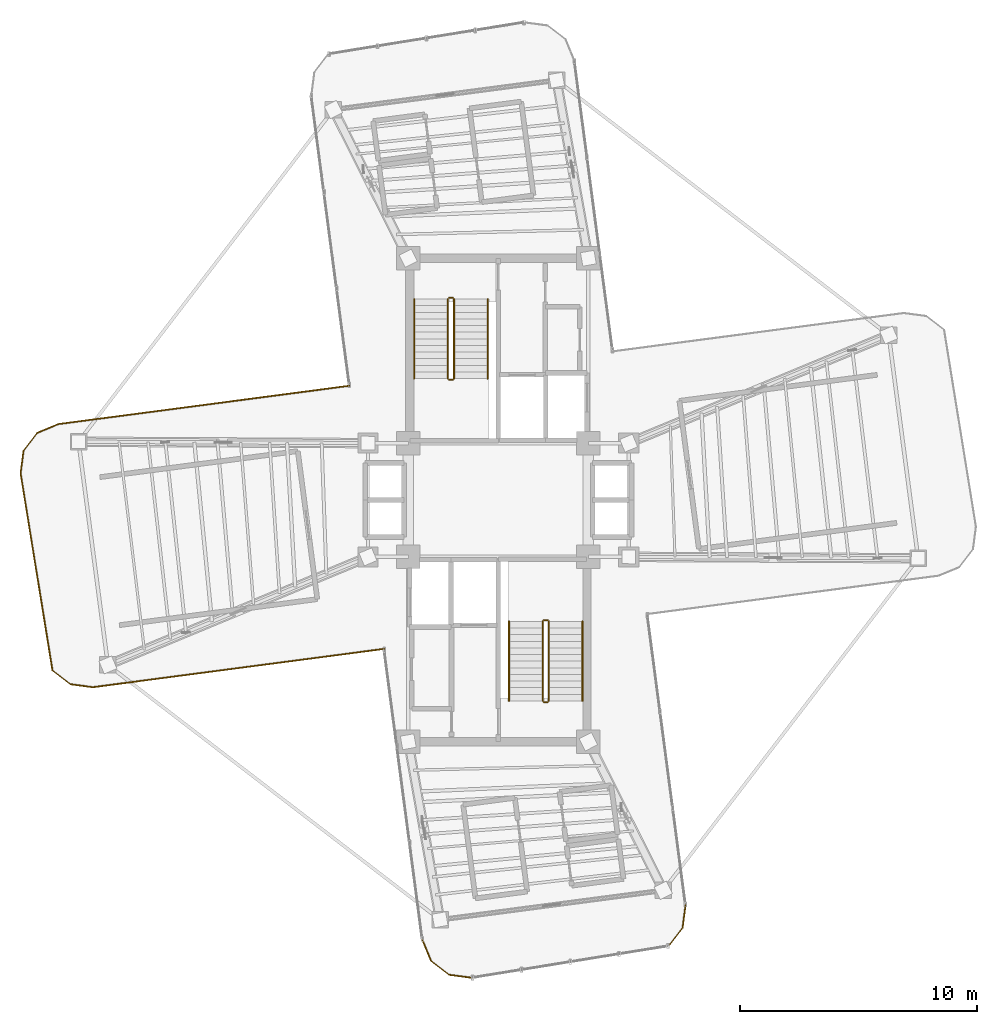
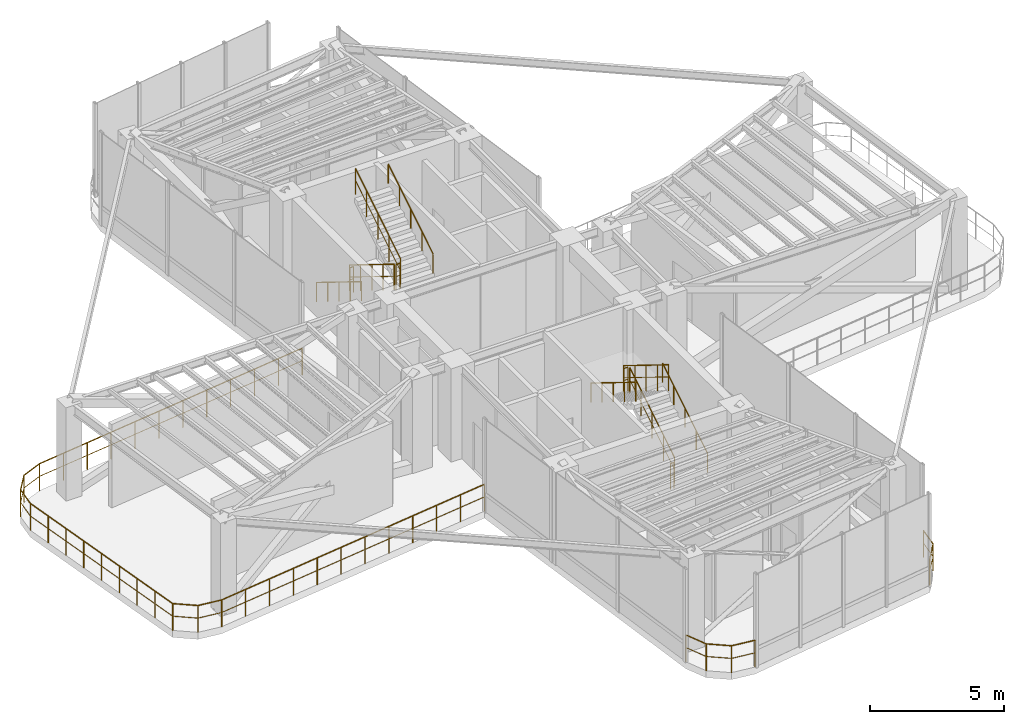
# One storey, part 16 of 17: 25 railings.
"""IFC4 building model written with IfcOpenShell, lengths in metres."""

import ifcopenshell
import ifcopenshell.guid

model = None  # the IFC model being written
_history = None  # IfcOwnerHistory: only IFC2X3 demands one
_inside = {}  # id of a spatial element -> (the spatial element, [elements in it])
_under = {}  # id of a project, library or spatial element -> (it, [spatial elements below it])
_declared = {}  # id of a project -> (the project, [libraries it declares])
_typed = {}  # id of a type object -> (the type object, [elements of that type])
_made_of = {}  # id of a material, layer set ... -> (it, [elements and type objects made of it])


def new_model(schema):
    """Start an empty IFC model of exactly this schema.

    Asked for "IFC4X3", IfcOpenShell would pick the latest addendum, in which some entities
    have other attributes; the version numbers below select the first issue.
    IFC2X3 requires an IfcOwnerHistory on every rooted entity: one is made here for all.
    """
    global model, _history
    if schema == "IFC4X3":
        model = ifcopenshell.file(schema_version=(4, 3, 0, 0))
    else:
        model = ifcopenshell.file(schema=schema)
    _inside.clear()
    _under.clear()
    _declared.clear()
    _typed.clear()
    _made_of.clear()
    _history = None
    if model.schema == "IFC2X3":
        org = make("IfcOrganization", Name="unknown")
        user = make(
            "IfcPersonAndOrganization",
            ThePerson=make("IfcPerson", FamilyName="unknown"),
            TheOrganization=org,
        )
        app = make(
            "IfcApplication",
            ApplicationDeveloper=org,
            Version="unknown",
            ApplicationFullName="unknown",
            ApplicationIdentifier="unknown",
        )
        _history = make(
            "IfcOwnerHistory",
            OwningUser=user,
            OwningApplication=app,
            ChangeAction="ADDED",
            CreationDate=0,
        )
    return model


def make(cls, **values):
    """One entity of the class cls with the attributes given. An attribute that is None is left unset."""
    return model.create_entity(
        cls, **{name: value for name, value in values.items() if value is not None}
    )


def rooted(cls, **values):
    """An entity with a GlobalId (a new one), such as an element, a storey or a relation."""
    return make(cls, GlobalId=ifcopenshell.guid.new(), OwnerHistory=_history, **values)


def si_unit(unit_type, name, prefix=None):
    """IfcSIUnit, for example si_unit("LENGTHUNIT", "METRE", prefix="MILLI")."""
    return make("IfcSIUnit", UnitType=unit_type, Prefix=prefix, Name=name)


def assignment(units):
    """IfcUnitAssignment: the units of a project."""
    return None if units is None else make("IfcUnitAssignment", Units=units)


def point(xyz):
    """IfcCartesianPoint."""
    return None if xyz is None else make("IfcCartesianPoint", Coordinates=xyz)


def direction(xyz):
    """IfcDirection."""
    return None if xyz is None else make("IfcDirection", DirectionRatios=xyz)


def frame(location, z_axis=None, x_axis=None):
    """IfcAxis2Placement3D, a coordinate frame: its origin and axes. An axis left out is left unset."""
    return make(
        "IfcAxis2Placement3D",
        Location=point(location),
        Axis=direction(z_axis),
        RefDirection=direction(x_axis),
    )


def frame_2d(location, x_axis=None):
    """IfcAxis2Placement2D, a coordinate frame in the plane: its origin and x axis."""
    return make(
        "IfcAxis2Placement2D", Location=point(location), RefDirection=direction(x_axis)
    )


def origin():
    """The frame at (0, 0, 0) with its axes left unset."""
    return frame((0.0, 0.0, 0.0))


def origin_2d():
    """The frame at (0, 0) in the plane with its x axis left unset."""
    return frame_2d((0.0, 0.0))


def place(relative_to, where):
    """IfcLocalPlacement: puts the frame where relative to a parent placement (None: the world)."""
    return make(
        "IfcLocalPlacement", PlacementRelTo=relative_to, RelativePlacement=where
    )


def context(
    kind, dimensions, precision=None, world=None, true_north=None, identifier=None
):
    """IfcGeometricRepresentationContext, for example the 3D "Model" context."""
    return make(
        "IfcGeometricRepresentationContext",
        ContextIdentifier=identifier,
        ContextType=kind,
        CoordinateSpaceDimension=dimensions,
        Precision=precision,
        WorldCoordinateSystem=world,
        TrueNorth=true_north,
    )


def subcontext(parent, identifier, kind, view, scale=None):
    """IfcGeometricRepresentationSubContext, for example "Body" below "Model"."""
    return make(
        "IfcGeometricRepresentationSubContext",
        ContextIdentifier=identifier,
        ContextType=kind,
        ParentContext=parent,
        TargetScale=scale,
        TargetView=view,
    )


def project(units=None, contexts=None):
    """IfcProject with its units and contexts."""
    return rooted(
        "IfcProject",
        Name="project",
        RepresentationContexts=contexts,
        UnitsInContext=assignment(units),
    )


def spatial(cls, under=None, at=None, **own):
    """A site, building, storey or space (cls), placed at a placement, below another one or the project."""
    s = rooted(cls, ObjectPlacement=at, **own)
    if under is not None:
        _under.setdefault(under.id(), (under, []))[1].append(s)
    return s


def profile(cls, at=None, kind="AREA", **sizes):
    """A parametric profile (cls). Its sizes go by their IFC names, for example OverallWidth=200.0."""
    return make(cls, ProfileType=kind, Position=at, **sizes)


def circle(**sizes):
    """IfcCircleProfileDef."""
    return profile("IfcCircleProfileDef", **sizes)


def extrude(swept, where, along, depth):
    """IfcExtrudedAreaSolid: the profile swept, set in the frame where, extruded along a direction by depth."""
    return make(
        "IfcExtrudedAreaSolid",
        SweptArea=swept,
        Position=where,
        ExtrudedDirection=direction(along),
        Depth=depth,
    )


def shape(context_of_items, identifier, shape_type, items):
    """IfcShapeRepresentation: the items that make up one representation, for example the "Body"."""
    return make(
        "IfcShapeRepresentation",
        ContextOfItems=context_of_items,
        RepresentationIdentifier=identifier,
        RepresentationType=shape_type,
        Items=items,
    )


def material(Name=None, Category=None):
    """IfcMaterial."""
    return make("IfcMaterial", Name=Name, Category=Category)


def made_of(thing, what):
    """Note that an element or type object is made of a material, layer set ...; save() writes the relation."""
    if what is not None:
        _made_of.setdefault(what.id(), (what, []))[1].append(thing)
    return thing


def type_object(cls, material=None, **own):
    """A type object (cls), such as IfcWallType, which elements share."""
    return made_of(rooted(cls, **own), material)


def element(
    cls,
    number,
    at=None,
    inside=None,
    cuts=None,
    type_object=None,
    material=None,
    context=None,
    identifier="Body",
    shape_type=None,
    held_by="IfcProductDefinitionShape",
    body=None,
    shapes=None,
    **own,
):
    """One element of the class cls, such as IfcWall. Its Tag is "e" and its number.

    at: its placement. inside: the storey or other place that contains it. cuts: it is an
    opening in that element (IfcRelVoidsElement). A single representation is given by context,
    identifier, shape_type and body (its items); several are given by shapes. held_by: the class
    of the entity that holds the representations. save() writes the other relations.
    """
    e = rooted(cls, Tag="e%d" % number, ObjectPlacement=at, **own)
    if body is not None:
        shapes = [shape(context, identifier, shape_type, body)]
    if shapes is not None:
        e.Representation = make(held_by, Representations=shapes)
    if inside is not None:
        _inside.setdefault(inside.id(), (inside, []))[1].append(e)
    if cuts is not None:
        rooted(
            "IfcRelVoidsElement", RelatingBuildingElement=cuts, RelatedOpeningElement=e
        )
    if type_object is not None:
        _typed.setdefault(type_object.id(), (type_object, []))[1].append(e)
    return made_of(e, material)


def aggregate(whole, parts):
    """IfcRelAggregates: a whole, such as a stair, and the parts it consists of."""
    return rooted("IfcRelAggregates", RelatingObject=whole, RelatedObjects=parts)


def save(model, path):
    """Write the relations noted so far, then the file.

    IfcRelAggregates (storeys below a building ...), IfcRelContainedInSpatialStructure (elements
    in a storey), IfcRelDefinesByType, IfcRelAssociatesMaterial and IfcRelDeclares: one each for
    every whole, place, type object, material and project.
    """
    for whole, parts in _under.values():
        aggregate(whole, parts)
    for where, things in _inside.values():
        rooted(
            "IfcRelContainedInSpatialStructure",
            RelatedElements=things,
            RelatingStructure=where,
        )
    for kind, things in _typed.values():
        rooted("IfcRelDefinesByType", RelatedObjects=things, RelatingType=kind)
    for what, things in _made_of.values():
        rooted("IfcRelAssociatesMaterial", RelatedObjects=things, RelatingMaterial=what)
    for by, libraries in _declared.values():
        rooted("IfcRelDeclares", RelatingContext=by, RelatedDefinitions=libraries)
    model.write(path)


model = new_model("IFC4")

# Units and contexts
model_context = context("Model", 3, precision=1e-05, world=origin(), true_north=direction((0.0, 1.0)))
body_context = subcontext(model_context, "Body", "Model", "MODEL_VIEW")
ifc_project = project(units=[si_unit("LENGTHUNIT", "METRE"), si_unit("AREAUNIT", "SQUARE_METRE"), si_unit("VOLUMEUNIT", "CUBIC_METRE"), si_unit("PLANEANGLEUNIT", "RADIAN"), si_unit("MASSUNIT", "GRAM", prefix="KILO")], contexts=[model_context])

# Site, building, storey
site_placement = place(None, origin())
site = spatial("IfcSite", under=ifc_project, at=site_placement, CompositionType="ELEMENT")
building_placement = place(site_placement, origin())
building = spatial("IfcBuilding", under=site, at=building_placement, Name="Sahyath Konkavel Grand Hotel", CompositionType="ELEMENT")
storey_placement = place(building_placement, frame((0.0, 0.0, 264.60009765625)))
storey = spatial("IfcBuildingStorey", under=building, at=storey_placement, Name="L74", CompositionType="ELEMENT", Elevation=264.60009765625)

# Railings
ifc_material_1 = material(Name="Steel E350", Category="steel")
railing_type_1 = type_object("IfcRailingType", Name="RLG-STAIR-GRD", PredefinedType="GUARDRAIL", material=ifc_material_1)
railing_1_placement = place(storey_placement, frame((-2.1298828125, 8.47998046875, 0.173095703125)))
element("IfcRailing", 1, at=railing_1_placement, inside=storey, type_object=railing_type_1, Name="L74 ST-1 stair guard 1", PredefinedType="GUARDRAIL", context=body_context, shape_type="SweptSolid", body=[
    extrude(circle(Radius=0.02392578125, at=origin_2d()), frame((0.0, -0.001708984375, 1.177001953125), z_axis=(0.0, -0.850606129759, 0.525803396734), x_axis=(1.0, 0.0, 0.0)), (0.0, 0.0, 1.0), 3.946044921875),
    extrude(circle(Radius=0.01416015625, at=origin_2d()), frame((0.0, -0.001708984375, 0.625), z_axis=(0.0, -0.850606129759, 0.525803396734), x_axis=(1.0, 0.0, 0.0)), (0.0, 0.0, 1.0), 3.946044921875),
    extrude(circle(Radius=0.02099609375, at=origin_2d()), origin(), (0.0, 0.0, 1.0), 1.15185546875),
    extrude(circle(Radius=0.02099609375, at=origin_2d()), frame((0.0, -0.83984375, 0.519287109375)), (0.0, 0.0, 1.0), 1.15185546875),
    extrude(circle(Radius=0.02099609375, at=origin_2d()), frame((0.0, -1.679931640625, 1.03857421875)), (0.0, 0.0, 1.0), 1.15185546875),
    extrude(circle(Radius=0.02099609375, at=origin_2d()), frame((0.0, -2.52001953125, 1.5576171875)), (0.0, 0.0, 1.0), 1.15185546875),
    extrude(circle(Radius=0.02099609375, at=origin_2d()), frame((0.0, -3.35986328125, 2.076904296875)), (0.0, 0.0, 1.0), 1.15185546875),
])
railing_2_placement = place(storey_placement, frame((-2.080078125, 5.070068359375, 2.25)))
element("IfcRailing", 2, at=railing_2_placement, inside=storey, type_object=railing_type_1, Name="L74 ST-1 stair guard 2", PredefinedType="GUARDRAIL", context=body_context, shape_type="SweptSolid", body=[
    extrude(circle(Radius=0.02392578125, at=origin_2d()), frame((0.001953125, 0.0, 1.17578125), z_axis=(1.0, 0.0, 0.0), x_axis=(0.0, 1.0, 0.0)), (0.0, 0.0, 1.0), 0.15625),
    extrude(circle(Radius=0.01416015625, at=origin_2d()), frame((0.001953125, 0.0, 0.6240234375), z_axis=(1.0, 0.0, 0.0), x_axis=(0.0, 1.0, 0.0)), (0.0, 0.0, 1.0), 0.15625),
    extrude(circle(Radius=0.02099609375, at=origin_2d()), origin(), (0.0, 0.0, 1.0), 1.15185546875),
    extrude(circle(Radius=0.02099609375, at=origin_2d()), frame((0.16015625, 0.0, 0.0)), (0.0, 0.0, 1.0), 1.15185546875),
])
railing_3_placement = place(storey_placement, frame((-1.8701171875, 5.1201171875, 2.423095703125)))
element("IfcRailing", 3, at=railing_3_placement, inside=storey, type_object=railing_type_1, Name="L74 ST-1 stair guard 3", PredefinedType="GUARDRAIL", context=body_context, shape_type="SweptSolid", body=[
    extrude(circle(Radius=0.02392578125, at=origin_2d()), frame((0.0, 0.001708984375, 1.177001953125), z_axis=(0.0, 0.850606129759, 0.525803396734), x_axis=(-1.0, 0.0, 0.0)), (0.0, 0.0, 1.0), 3.946044921875),
    extrude(circle(Radius=0.01416015625, at=origin_2d()), frame((0.0, 0.001708984375, 0.625), z_axis=(0.0, 0.850606129759, 0.525803396734), x_axis=(-1.0, 0.0, 0.0)), (0.0, 0.0, 1.0), 3.946044921875),
    extrude(circle(Radius=0.02099609375, at=origin_2d()), origin(), (0.0, 0.0, 1.0), 1.15185546875),
    extrude(circle(Radius=0.02099609375, at=origin_2d()), frame((0.0, 0.83984375, 0.519287109375)), (0.0, 0.0, 1.0), 1.15185546875),
    extrude(circle(Radius=0.02099609375, at=origin_2d()), frame((0.0, 1.679931640625, 1.03857421875)), (0.0, 0.0, 1.0), 1.15185546875),
    extrude(circle(Radius=0.02099609375, at=origin_2d()), frame((0.0, 2.52001953125, 1.5576171875)), (0.0, 0.0, 1.0), 1.15185546875),
    extrude(circle(Radius=0.02099609375, at=origin_2d()), frame((0.0, 3.35986328125, 2.076904296875)), (0.0, 0.0, 1.0), 1.15185546875),
])
railing_4_placement = place(storey_placement, frame((-2.080078125, 8.530029296875, 0.0)))
element("IfcRailing", 4, at=railing_4_placement, inside=storey, type_object=railing_type_1, Name="L74 ST-1 stair guard 4", PredefinedType="GUARDRAIL", context=body_context, shape_type="SweptSolid", body=[
    extrude(circle(Radius=0.02392578125, at=origin_2d()), frame((0.001953125, 0.0, 1.17578125), z_axis=(1.0, 0.0, 0.0), x_axis=(0.0, 1.0, 0.0)), (0.0, 0.0, 1.0), 0.15625),
    extrude(circle(Radius=0.01416015625, at=origin_2d()), frame((0.001953125, 0.0, 0.6240234375), z_axis=(1.0, 0.0, 0.0), x_axis=(0.0, 1.0, 0.0)), (0.0, 0.0, 1.0), 0.15625),
    extrude(circle(Radius=0.02099609375, at=origin_2d()), origin(), (0.0, 0.0, 1.0), 1.15185546875),
    extrude(circle(Radius=0.02099609375, at=origin_2d()), frame((0.16015625, 0.0, 0.0)), (0.0, 0.0, 1.0), 1.15185546875),
])
railing_5_placement = place(storey_placement, frame((2.1298828125, -8.47998046875, 0.173095703125)))
element("IfcRailing", 5, at=railing_5_placement, inside=storey, type_object=railing_type_1, Name="L74 ST-2 stair guard 1", PredefinedType="GUARDRAIL", context=body_context, shape_type="SweptSolid", body=[
    extrude(circle(Radius=0.02392578125, at=origin_2d()), frame((0.0, 0.001708984375, 1.177001953125), z_axis=(0.0, 0.850606129759, 0.525803396734), x_axis=(-1.0, 0.0, 0.0)), (0.0, 0.0, 1.0), 3.946044921875),
    extrude(circle(Radius=0.01416015625, at=origin_2d()), frame((0.0, 0.001708984375, 0.625), z_axis=(0.0, 0.850606129759, 0.525803396734), x_axis=(-1.0, 0.0, 0.0)), (0.0, 0.0, 1.0), 3.946044921875),
    extrude(circle(Radius=0.02099609375, at=origin_2d()), origin(), (0.0, 0.0, 1.0), 1.15185546875),
    extrude(circle(Radius=0.02099609375, at=origin_2d()), frame((0.0, 0.83984375, 0.519287109375)), (0.0, 0.0, 1.0), 1.15185546875),
    extrude(circle(Radius=0.02099609375, at=origin_2d()), frame((0.0, 1.679931640625, 1.03857421875)), (0.0, 0.0, 1.0), 1.15185546875),
    extrude(circle(Radius=0.02099609375, at=origin_2d()), frame((0.0, 2.52001953125, 1.5576171875)), (0.0, 0.0, 1.0), 1.15185546875),
    extrude(circle(Radius=0.02099609375, at=origin_2d()), frame((0.0, 3.35986328125, 2.076904296875)), (0.0, 0.0, 1.0), 1.15185546875),
])
railing_6_placement = place(storey_placement, frame((2.080078125, -5.070068359375, 2.25)))
element("IfcRailing", 6, at=railing_6_placement, inside=storey, type_object=railing_type_1, Name="L74 ST-2 stair guard 2", PredefinedType="GUARDRAIL", context=body_context, shape_type="SweptSolid", body=[
    extrude(circle(Radius=0.02392578125, at=origin_2d()), frame((-0.001953125, 0.0, 1.17578125), z_axis=(-1.0, 0.0, 0.0), x_axis=(0.0, -1.0, 0.0)), (0.0, 0.0, 1.0), 0.15625),
    extrude(circle(Radius=0.01416015625, at=origin_2d()), frame((-0.001953125, 0.0, 0.6240234375), z_axis=(-1.0, 0.0, 0.0), x_axis=(0.0, -1.0, 0.0)), (0.0, 0.0, 1.0), 0.15625),
    extrude(circle(Radius=0.02099609375, at=origin_2d()), origin(), (0.0, 0.0, 1.0), 1.15185546875),
    extrude(circle(Radius=0.02099609375, at=origin_2d()), frame((-0.16015625, 0.0, 0.0)), (0.0, 0.0, 1.0), 1.15185546875),
])
railing_7_placement = place(storey_placement, frame((1.8701171875, -5.1201171875, 2.423095703125)))
element("IfcRailing", 7, at=railing_7_placement, inside=storey, type_object=railing_type_1, Name="L74 ST-2 stair guard 3", PredefinedType="GUARDRAIL", context=body_context, shape_type="SweptSolid", body=[
    extrude(circle(Radius=0.02392578125, at=origin_2d()), frame((0.0, -0.001708984375, 1.177001953125), z_axis=(0.0, -0.850606129759, 0.525803396734), x_axis=(1.0, 0.0, 0.0)), (0.0, 0.0, 1.0), 3.946044921875),
    extrude(circle(Radius=0.01416015625, at=origin_2d()), frame((0.0, -0.001708984375, 0.625), z_axis=(0.0, -0.850606129759, 0.525803396734), x_axis=(1.0, 0.0, 0.0)), (0.0, 0.0, 1.0), 3.946044921875),
    extrude(circle(Radius=0.02099609375, at=origin_2d()), origin(), (0.0, 0.0, 1.0), 1.15185546875),
    extrude(circle(Radius=0.02099609375, at=origin_2d()), frame((0.0, -0.83984375, 0.519287109375)), (0.0, 0.0, 1.0), 1.15185546875),
    extrude(circle(Radius=0.02099609375, at=origin_2d()), frame((0.0, -1.679931640625, 1.03857421875)), (0.0, 0.0, 1.0), 1.15185546875),
    extrude(circle(Radius=0.02099609375, at=origin_2d()), frame((0.0, -2.52001953125, 1.5576171875)), (0.0, 0.0, 1.0), 1.15185546875),
    extrude(circle(Radius=0.02099609375, at=origin_2d()), frame((0.0, -3.35986328125, 2.076904296875)), (0.0, 0.0, 1.0), 1.15185546875),
])
railing_8_placement = place(storey_placement, frame((2.080078125, -8.530029296875, 0.0)))
element("IfcRailing", 8, at=railing_8_placement, inside=storey, type_object=railing_type_1, Name="L74 ST-2 stair guard 4", PredefinedType="GUARDRAIL", context=body_context, shape_type="SweptSolid", body=[
    extrude(circle(Radius=0.02392578125, at=origin_2d()), frame((-0.001953125, 0.0, 1.17578125), z_axis=(-1.0, 0.0, 0.0), x_axis=(0.0, -1.0, 0.0)), (0.0, 0.0, 1.0), 0.15625),
    extrude(circle(Radius=0.01416015625, at=origin_2d()), frame((-0.001953125, 0.0, 0.6240234375), z_axis=(-1.0, 0.0, 0.0), x_axis=(0.0, -1.0, 0.0)), (0.0, 0.0, 1.0), 0.15625),
    extrude(circle(Radius=0.02099609375, at=origin_2d()), origin(), (0.0, 0.0, 1.0), 1.15185546875),
    extrude(circle(Radius=0.02099609375, at=origin_2d()), frame((-0.16015625, 0.0, 0.0)), (0.0, 0.0, 1.0), 1.15185546875),
])
ifc_material_2 = material(Name="Anodised Bronze Aluminium", Category="aluminium")
railing_type_2 = type_object("IfcRailingType", Name="RLG-STAIR-HND", PredefinedType="HANDRAIL", material=ifc_material_2)
railing_9_placement = place(storey_placement, frame((-3.550048828125, 8.47998046875, 0.173095703125)))
element("IfcRailing", 9, at=railing_9_placement, inside=storey, type_object=railing_type_2, Name="L74 ST-1 stair handrail 1", PredefinedType="HANDRAIL", context=body_context, shape_type="SweptSolid", body=[
    extrude(circle(Radius=0.02392578125, at=origin_2d()), frame((0.0, -0.001708984375, 0.876953125), z_axis=(0.0, -0.850606129759, 0.525803396734), x_axis=(1.0, 0.0, 0.0)), (0.0, 0.0, 1.0), 3.946044921875),
    extrude(circle(Radius=0.02099609375, at=origin_2d()), origin(), (0.0, 0.0, 1.0), 0.851806640625),
    extrude(circle(Radius=0.02099609375, at=origin_2d()), frame((0.0, -0.83984375, 0.519287109375)), (0.0, 0.0, 1.0), 0.851806640625),
    extrude(circle(Radius=0.02099609375, at=origin_2d()), frame((0.0, -1.679931640625, 1.03857421875)), (0.0, 0.0, 1.0), 0.851806640625),
    extrude(circle(Radius=0.02099609375, at=origin_2d()), frame((0.0, -2.52001953125, 1.5576171875)), (0.0, 0.0, 1.0), 0.851806640625),
    extrude(circle(Radius=0.02099609375, at=origin_2d()), frame((0.0, -3.35986328125, 2.076904296875)), (0.0, 0.0, 1.0), 0.851806640625),
])
for number, where, name in (
    (10, (-0.449951171875, 5.1201171875, 2.423095703125), "L74 ST-1 stair handrail 2"),
    (11, (3.550048828125, -8.47998046875, 0.173095703125), "L74 ST-2 stair handrail 1"),
):
    element("IfcRailing", number, at=place(storey_placement, frame(where)), inside=storey, type_object=railing_type_2, Name=name, PredefinedType="HANDRAIL", context=body_context, shape_type="SweptSolid", body=[
        extrude(circle(Radius=0.02392578125, at=origin_2d()), frame((0.0, 0.001708984375, 0.876953125), z_axis=(0.0, 0.850606129759, 0.525803396734), x_axis=(-1.0, 0.0, 0.0)), (0.0, 0.0, 1.0), 3.946044921875),
        extrude(circle(Radius=0.02099609375, at=origin_2d()), origin(), (0.0, 0.0, 1.0), 0.851806640625),
        extrude(circle(Radius=0.02099609375, at=origin_2d()), frame((0.0, 0.83984375, 0.519287109375)), (0.0, 0.0, 1.0), 0.851806640625),
        extrude(circle(Radius=0.02099609375, at=origin_2d()), frame((0.0, 1.679931640625, 1.03857421875)), (0.0, 0.0, 1.0), 0.851806640625),
        extrude(circle(Radius=0.02099609375, at=origin_2d()), frame((0.0, 2.52001953125, 1.5576171875)), (0.0, 0.0, 1.0), 0.851806640625),
        extrude(circle(Radius=0.02099609375, at=origin_2d()), frame((0.0, 3.35986328125, 2.076904296875)), (0.0, 0.0, 1.0), 0.851806640625),
    ])
railing_10_placement = place(storey_placement, frame((0.449951171875, -5.1201171875, 2.423095703125)))
element("IfcRailing", 12, at=railing_10_placement, inside=storey, type_object=railing_type_2, Name="L74 ST-2 stair handrail 2", PredefinedType="HANDRAIL", context=body_context, shape_type="SweptSolid", body=[
    extrude(circle(Radius=0.02392578125, at=origin_2d()), frame((0.0, -0.001708984375, 0.876953125), z_axis=(0.0, -0.850606129759, 0.525803396734), x_axis=(1.0, 0.0, 0.0)), (0.0, 0.0, 1.0), 3.946044921875),
    extrude(circle(Radius=0.02099609375, at=origin_2d()), origin(), (0.0, 0.0, 1.0), 0.851806640625),
    extrude(circle(Radius=0.02099609375, at=origin_2d()), frame((0.0, -0.83984375, 0.519287109375)), (0.0, 0.0, 1.0), 0.851806640625),
    extrude(circle(Radius=0.02099609375, at=origin_2d()), frame((0.0, -1.679931640625, 1.03857421875)), (0.0, 0.0, 1.0), 0.851806640625),
    extrude(circle(Radius=0.02099609375, at=origin_2d()), frame((0.0, -2.52001953125, 1.5576171875)), (0.0, 0.0, 1.0), 0.851806640625),
    extrude(circle(Radius=0.02099609375, at=origin_2d()), frame((0.0, -3.35986328125, 2.076904296875)), (0.0, 0.0, 1.0), 0.851806640625),
])
ifc_material_3 = material(Name="Warm Buff Sandstone & Bronze Balustrade", Category="masonry")
railing_type_3 = type_object("IfcRailingType", Name="RLG-TERR-1250", PredefinedType="BALUSTRADE", material=ifc_material_3)
railing_11_placement = place(storey_placement, frame((-6.282958984375, 4.821044921875, 0.0)))
element("IfcRailing", 13, at=railing_11_placement, inside=storey, type_object=railing_type_3, Name="L74 Fire Refuge Perimeter Guard 16", PredefinedType="BALUSTRADE", context=body_context, shape_type="SweptSolid", body=[
    extrude(circle(Radius=0.02392578125, at=origin_2d()), frame((-0.001953125, -0.000244140625, 1.22607421875), z_axis=(-0.991445104682, -0.1305243441, 0.0), x_axis=(0.1305243441, -0.991445104682, 0.0)), (0.0, 0.0, 1.0), 12.385986328125),
    extrude(circle(Radius=0.01416015625, at=origin_2d()), frame((-0.001953125, -0.000244140625, 0.64990234375), z_axis=(-0.991445104682, -0.1305243441, 0.0), x_axis=(0.1305243441, -0.991445104682, 0.0)), (0.0, 0.0, 1.0), 12.385986328125),
    extrude(circle(Radius=0.02099609375, at=origin_2d()), origin(), (0.0, 0.0, 1.0), 1.201904296875),
    extrude(circle(Radius=0.02099609375, at=origin_2d()), frame((-1.11669921875, -0.14697265625, 0.0)), (0.0, 0.0, 1.0), 1.201904296875),
    extrude(circle(Radius=0.02099609375, at=origin_2d()), frame((-2.2333984375, -0.2939453125, 0.0)), (0.0, 0.0, 1.0), 1.201904296875),
    extrude(circle(Radius=0.02099609375, at=origin_2d()), frame((-3.35009765625, -0.441162109375, 0.0)), (0.0, 0.0, 1.0), 1.201904296875),
    extrude(circle(Radius=0.02099609375, at=origin_2d()), frame((-4.466796875, -0.588134765625, 0.0)), (0.0, 0.0, 1.0), 1.201904296875),
    extrude(circle(Radius=0.02099609375, at=origin_2d()), frame((-5.58349609375, -0.735107421875, 0.0)), (0.0, 0.0, 1.0), 1.201904296875),
    extrude(circle(Radius=0.02099609375, at=origin_2d()), frame((-6.700439453125, -0.882080078125, 0.0)), (0.0, 0.0, 1.0), 1.201904296875),
    extrude(circle(Radius=0.02099609375, at=origin_2d()), frame((-7.817138671875, -1.029052734375, 0.0)), (0.0, 0.0, 1.0), 1.201904296875),
    extrude(circle(Radius=0.02099609375, at=origin_2d()), frame((-8.933837890625, -1.176025390625, 0.0)), (0.0, 0.0, 1.0), 1.201904296875),
    extrude(circle(Radius=0.02099609375, at=origin_2d()), frame((-10.050537109375, -1.3232421875, 0.0)), (0.0, 0.0, 1.0), 1.201904296875),
    extrude(circle(Radius=0.02099609375, at=origin_2d()), frame((-11.167236328125, -1.47021484375, 0.0)), (0.0, 0.0, 1.0), 1.201904296875),
    extrude(circle(Radius=0.02099609375, at=origin_2d()), frame((-12.283935546875, -1.6171875, 0.0)), (0.0, 0.0, 1.0), 1.201904296875),
])
railing_12_placement = place(storey_placement, frame((-18.56689453125, 3.203857421875, 0.0)))
element("IfcRailing", 14, at=railing_12_placement, inside=storey, type_object=railing_type_3, Name="L74 Fire Refuge Perimeter Guard 17", PredefinedType="BALUSTRADE", context=body_context, shape_type="SweptSolid", body=[
    extrude(circle(Radius=0.02392578125, at=origin_2d()), frame((-0.001953125, -0.000732421875, 1.22607421875), z_axis=(-0.923926759112, -0.382569397359, 0.0), x_axis=(0.382569397359, -0.923926759112, 0.0)), (0.0, 0.0, 1.0), 0.953857421875),
    extrude(circle(Radius=0.01416015625, at=origin_2d()), frame((-0.001953125, -0.000732421875, 0.64990234375), z_axis=(-0.923926759112, -0.382569397359, 0.0), x_axis=(0.382569397359, -0.923926759112, 0.0)), (0.0, 0.0, 1.0), 0.953857421875),
    extrude(circle(Radius=0.02099609375, at=origin_2d()), origin(), (0.0, 0.0, 1.0), 1.201904296875),
    extrude(circle(Radius=0.02099609375, at=origin_2d()), frame((-0.885009765625, -0.366455078125, 0.0)), (0.0, 0.0, 1.0), 1.201904296875),
])
railing_13_placement = place(storey_placement, frame((-19.451904296875, 2.83740234375, 0.0)))
element("IfcRailing", 15, at=railing_13_placement, inside=storey, type_object=railing_type_3, Name="L74 Fire Refuge Perimeter Guard 18", PredefinedType="BALUSTRADE", context=body_context, shape_type="SweptSolid", body=[
    extrude(circle(Radius=0.02392578125, at=origin_2d()), frame((-0.001220703125, -0.001708984375, 1.22607421875), z_axis=(-0.60861352168, -0.793466811674, 0.0), x_axis=(0.793466811674, -0.60861352168, 0.0)), (0.0, 0.0, 1.0), 0.95361328125),
    extrude(circle(Radius=0.01416015625, at=origin_2d()), frame((-0.001220703125, -0.001708984375, 0.64990234375), z_axis=(-0.60861352168, -0.793466811674, 0.0), x_axis=(0.793466811674, -0.60861352168, 0.0)), (0.0, 0.0, 1.0), 0.95361328125),
    extrude(circle(Radius=0.02099609375, at=origin_2d()), origin(), (0.0, 0.0, 1.0), 1.201904296875),
    extrude(circle(Radius=0.02099609375, at=origin_2d()), frame((-0.582763671875, -0.759765625, 0.0)), (0.0, 0.0, 1.0), 1.201904296875),
])
railing_14_placement = place(storey_placement, frame((-20.03466796875, 2.07763671875, 0.0)))
element("IfcRailing", 16, at=railing_14_placement, inside=storey, type_object=railing_type_3, Name="L74 Fire Refuge Perimeter Guard 19", PredefinedType="BALUSTRADE", context=body_context, shape_type="SweptSolid", body=[
    extrude(circle(Radius=0.02392578125, at=origin_2d()), frame((-0.000244140625, -0.001953125, 1.22607421875), z_axis=(-0.13056005306, -0.991440402921, 0.0), x_axis=(0.991440402921, -0.13056005306, 0.0)), (0.0, 0.0, 1.0), 0.953369140625),
    extrude(circle(Radius=0.01416015625, at=origin_2d()), frame((-0.000244140625, -0.001953125, 0.64990234375), z_axis=(-0.13056005306, -0.991440402921, 0.0), x_axis=(0.991440402921, -0.13056005306, 0.0)), (0.0, 0.0, 1.0), 0.953369140625),
    extrude(circle(Radius=0.02099609375, at=origin_2d()), origin(), (0.0, 0.0, 1.0), 1.201904296875),
    extrude(circle(Radius=0.02099609375, at=origin_2d()), frame((-0.125, -0.94921875, 0.0)), (0.0, 0.0, 1.0), 1.201904296875),
])
railing_15_placement = place(storey_placement, frame((-20.15966796875, 1.12841796875, 0.0)))
element("IfcRailing", 17, at=railing_15_placement, inside=storey, type_object=railing_type_3, Name="L74 Fire Refuge Perimeter Guard 20", PredefinedType="BALUSTRADE", context=body_context, shape_type="SweptSolid", body=[
    extrude(circle(Radius=0.02392578125, at=origin_2d()), frame((0.000244140625, -0.001953125, 1.22607421875), z_axis=(0.159624919615, -0.987177737309, 0.0), x_axis=(0.987177737309, 0.159624919615, 0.0)), (0.0, 0.0, 1.0), 8.4248046875),
    extrude(circle(Radius=0.01416015625, at=origin_2d()), frame((0.000244140625, -0.001953125, 0.64990234375), z_axis=(0.159624919615, -0.987177737309, 0.0), x_axis=(0.987177737309, 0.159624919615, 0.0)), (0.0, 0.0, 1.0), 8.4248046875),
    extrude(circle(Radius=0.02099609375, at=origin_2d()), origin(), (0.0, 0.0, 1.0), 1.201904296875),
    extrude(circle(Radius=0.02099609375, at=origin_2d()), frame((0.168212890625, -1.0400390625, 0.0)), (0.0, 0.0, 1.0), 1.201904296875),
    extrude(circle(Radius=0.02099609375, at=origin_2d()), frame((0.33642578125, -2.080078125, 0.0)), (0.0, 0.0, 1.0), 1.201904296875),
    extrude(circle(Radius=0.02099609375, at=origin_2d()), frame((0.504638671875, -3.120361328125, 0.0)), (0.0, 0.0, 1.0), 1.201904296875),
    extrude(circle(Radius=0.02099609375, at=origin_2d()), frame((0.6728515625, -4.160400390625, 0.0)), (0.0, 0.0, 1.0), 1.201904296875),
    extrude(circle(Radius=0.02099609375, at=origin_2d()), frame((0.8408203125, -5.200439453125, 0.0)), (0.0, 0.0, 1.0), 1.201904296875),
    extrude(circle(Radius=0.02099609375, at=origin_2d()), frame((1.009033203125, -6.24072265625, 0.0)), (0.0, 0.0, 1.0), 1.201904296875),
    extrude(circle(Radius=0.02099609375, at=origin_2d()), frame((1.17724609375, -7.28076171875, 0.0)), (0.0, 0.0, 1.0), 1.201904296875),
    extrude(circle(Radius=0.02099609375, at=origin_2d()), frame((1.345458984375, -8.32080078125, 0.0)), (0.0, 0.0, 1.0), 1.201904296875),
])
railing_16_placement = place(storey_placement, frame((-18.814208984375, -7.1923828125, 0.0)))
element("IfcRailing", 18, at=railing_16_placement, inside=storey, type_object=railing_type_3, Name="L74 Fire Refuge Perimeter Guard 21", PredefinedType="BALUSTRADE", context=body_context, shape_type="SweptSolid", body=[
    extrude(circle(Radius=0.02392578125, at=origin_2d()), frame((0.00146484375, -0.001220703125, 1.22607421875), z_axis=(0.793249178392, -0.608897151398, 0.0), x_axis=(0.608897151398, 0.793249178392, 0.0)), (0.0, 0.0, 1.0), 0.953369140625),
    extrude(circle(Radius=0.01416015625, at=origin_2d()), frame((0.00146484375, -0.001220703125, 0.64990234375), z_axis=(0.793249178392, -0.608897151398, 0.0), x_axis=(0.608897151398, 0.793249178392, 0.0)), (0.0, 0.0, 1.0), 0.953369140625),
    extrude(circle(Radius=0.02099609375, at=origin_2d()), origin(), (0.0, 0.0, 1.0), 1.201904296875),
    extrude(circle(Radius=0.02099609375, at=origin_2d()), frame((0.759521484375, -0.5830078125, 0.0)), (0.0, 0.0, 1.0), 1.201904296875),
])
railing_17_placement = place(storey_placement, frame((-18.0546875, -7.775390625, 0.0)))
element("IfcRailing", 19, at=railing_17_placement, inside=storey, type_object=railing_type_3, Name="L74 Fire Refuge Perimeter Guard 22", PredefinedType="BALUSTRADE", context=body_context, shape_type="SweptSolid", body=[
    extrude(circle(Radius=0.02392578125, at=origin_2d()), frame((0.001953125, -0.000244140625, 1.22607421875), z_axis=(0.991449089759, -0.130494070426, 0.0), x_axis=(0.130494070426, 0.991449089759, 0.0)), (0.0, 0.0, 1.0), 0.953857421875),
    extrude(circle(Radius=0.01416015625, at=origin_2d()), frame((0.001953125, -0.000244140625, 0.64990234375), z_axis=(0.991449089759, -0.130494070426, 0.0), x_axis=(0.130494070426, 0.991449089759, 0.0)), (0.0, 0.0, 1.0), 0.953857421875),
    extrude(circle(Radius=0.02099609375, at=origin_2d()), origin(), (0.0, 0.0, 1.0), 1.201904296875),
    extrude(circle(Radius=0.02099609375, at=origin_2d()), frame((0.94970703125, -0.125, 0.0)), (0.0, 0.0, 1.0), 1.201904296875),
])
railing_18_placement = place(storey_placement, frame((-17.10498046875, -7.900390625, 0.0)))
element("IfcRailing", 20, at=railing_18_placement, inside=storey, type_object=railing_type_3, Name="L74 Fire Refuge Perimeter Guard 23", PredefinedType="BALUSTRADE", context=body_context, shape_type="SweptSolid", body=[
    extrude(circle(Radius=0.02392578125, at=origin_2d()), frame((0.001953125, 0.000244140625, 1.22607421875), z_axis=(0.991442554551, 0.130543713086, 0.0), x_axis=(-0.130543713086, 0.991442554551, 0.0)), (0.0, 0.0, 1.0), 12.385986328125),
    extrude(circle(Radius=0.01416015625, at=origin_2d()), frame((0.001953125, 0.000244140625, 0.64990234375), z_axis=(0.991442554551, 0.130543713086, 0.0), x_axis=(-0.130543713086, 0.991442554551, 0.0)), (0.0, 0.0, 1.0), 12.385986328125),
    extrude(circle(Radius=0.02099609375, at=origin_2d()), origin(), (0.0, 0.0, 1.0), 1.201904296875),
    extrude(circle(Radius=0.02099609375, at=origin_2d()), frame((1.11669921875, 0.14697265625, 0.0)), (0.0, 0.0, 1.0), 1.201904296875),
    extrude(circle(Radius=0.02099609375, at=origin_2d()), frame((2.2333984375, 0.294189453125, 0.0)), (0.0, 0.0, 1.0), 1.201904296875),
    extrude(circle(Radius=0.02099609375, at=origin_2d()), frame((3.35009765625, 0.441162109375, 0.0)), (0.0, 0.0, 1.0), 1.201904296875),
    extrude(circle(Radius=0.02099609375, at=origin_2d()), frame((4.466796875, 0.588134765625, 0.0)), (0.0, 0.0, 1.0), 1.201904296875),
    extrude(circle(Radius=0.02099609375, at=origin_2d()), frame((5.58349609375, 0.735107421875, 0.0)), (0.0, 0.0, 1.0), 1.201904296875),
    extrude(circle(Radius=0.02099609375, at=origin_2d()), frame((6.700439453125, 0.88232421875, 0.0)), (0.0, 0.0, 1.0), 1.201904296875),
    extrude(circle(Radius=0.02099609375, at=origin_2d()), frame((7.817138671875, 1.029296875, 0.0)), (0.0, 0.0, 1.0), 1.201904296875),
    extrude(circle(Radius=0.02099609375, at=origin_2d()), frame((8.933837890625, 1.17626953125, 0.0)), (0.0, 0.0, 1.0), 1.201904296875),
    extrude(circle(Radius=0.02099609375, at=origin_2d()), frame((10.050537109375, 1.3232421875, 0.0)), (0.0, 0.0, 1.0), 1.201904296875),
    extrude(circle(Radius=0.02099609375, at=origin_2d()), frame((11.167236328125, 1.470458984375, 0.0)), (0.0, 0.0, 1.0), 1.201904296875),
    extrude(circle(Radius=0.02099609375, at=origin_2d()), frame((12.283935546875, 1.617431640625, 0.0)), (0.0, 0.0, 1.0), 1.201904296875),
])
railing_19_placement = place(storey_placement, frame((-3.203857421875, -18.56689453125, 0.0)))
element("IfcRailing", 21, at=railing_19_placement, inside=storey, type_object=railing_type_3, Name="L74 Fire Refuge Perimeter Guard 25", PredefinedType="BALUSTRADE", context=body_context, shape_type="SweptSolid", body=[
    extrude(circle(Radius=0.02392578125, at=origin_2d()), frame((0.000732421875, -0.001953125, 1.22607421875), z_axis=(0.382569397359, -0.923926759112, 0.0), x_axis=(0.923926759112, 0.382569397359, 0.0)), (0.0, 0.0, 1.0), 0.953857421875),
    extrude(circle(Radius=0.01416015625, at=origin_2d()), frame((0.000732421875, -0.001953125, 0.64990234375), z_axis=(0.382569397359, -0.923926759112, 0.0), x_axis=(0.923926759112, 0.382569397359, 0.0)), (0.0, 0.0, 1.0), 0.953857421875),
    extrude(circle(Radius=0.02099609375, at=origin_2d()), origin(), (0.0, 0.0, 1.0), 1.201904296875),
    extrude(circle(Radius=0.02099609375, at=origin_2d()), frame((0.366455078125, -0.885009765625, 0.0)), (0.0, 0.0, 1.0), 1.201904296875),
])
railing_20_placement = place(storey_placement, frame((-2.83740234375, -19.451904296875, 0.0)))
element("IfcRailing", 22, at=railing_20_placement, inside=storey, type_object=railing_type_3, Name="L74 Fire Refuge Perimeter Guard 26", PredefinedType="BALUSTRADE", context=body_context, shape_type="SweptSolid", body=[
    extrude(circle(Radius=0.02392578125, at=origin_2d()), frame((0.001708984375, -0.001220703125, 1.22607421875), z_axis=(0.793466811674, -0.60861352168, 0.0), x_axis=(0.60861352168, 0.793466811674, 0.0)), (0.0, 0.0, 1.0), 0.95361328125),
    extrude(circle(Radius=0.01416015625, at=origin_2d()), frame((0.001708984375, -0.001220703125, 0.64990234375), z_axis=(0.793466811674, -0.60861352168, 0.0), x_axis=(0.60861352168, 0.793466811674, 0.0)), (0.0, 0.0, 1.0), 0.95361328125),
    extrude(circle(Radius=0.02099609375, at=origin_2d()), origin(), (0.0, 0.0, 1.0), 1.201904296875),
    extrude(circle(Radius=0.02099609375, at=origin_2d()), frame((0.759765625, -0.582763671875, 0.0)), (0.0, 0.0, 1.0), 1.201904296875),
])
railing_21_placement = place(storey_placement, frame((-2.07763671875, -20.03466796875, 0.0)))
element("IfcRailing", 23, at=railing_21_placement, inside=storey, type_object=railing_type_3, Name="L74 Fire Refuge Perimeter Guard 27", PredefinedType="BALUSTRADE", context=body_context, shape_type="SweptSolid", body=[
    extrude(circle(Radius=0.02392578125, at=origin_2d()), frame((0.001953125, -0.000244140625, 1.22607421875), z_axis=(0.991440402921, -0.13056005306, 0.0), x_axis=(0.13056005306, 0.991440402921, 0.0)), (0.0, 0.0, 1.0), 0.953369140625),
    extrude(circle(Radius=0.01416015625, at=origin_2d()), frame((0.001953125, -0.000244140625, 0.64990234375), z_axis=(0.991440402921, -0.13056005306, 0.0), x_axis=(0.13056005306, 0.991440402921, 0.0)), (0.0, 0.0, 1.0), 0.953369140625),
    extrude(circle(Radius=0.02099609375, at=origin_2d()), origin(), (0.0, 0.0, 1.0), 1.201904296875),
    extrude(circle(Radius=0.02099609375, at=origin_2d()), frame((0.94921875, -0.125, 0.0)), (0.0, 0.0, 1.0), 1.201904296875),
])
railing_22_placement = place(storey_placement, frame((7.1923828125, -18.814208984375, 0.0)))
element("IfcRailing", 24, at=railing_22_placement, inside=storey, type_object=railing_type_3, Name="L74 Fire Refuge Perimeter Guard 29", PredefinedType="BALUSTRADE", context=body_context, shape_type="SweptSolid", body=[
    extrude(circle(Radius=0.02392578125, at=origin_2d()), frame((0.001220703125, 0.00146484375, 1.22607421875), z_axis=(0.608897151398, 0.793249178392, 0.0), x_axis=(-0.793249178392, 0.608897151398, 0.0)), (0.0, 0.0, 1.0), 0.953369140625),
    extrude(circle(Radius=0.01416015625, at=origin_2d()), frame((0.001220703125, 0.00146484375, 0.64990234375), z_axis=(0.608897151398, 0.793249178392, 0.0), x_axis=(-0.793249178392, 0.608897151398, 0.0)), (0.0, 0.0, 1.0), 0.953369140625),
    extrude(circle(Radius=0.02099609375, at=origin_2d()), origin(), (0.0, 0.0, 1.0), 1.201904296875),
    extrude(circle(Radius=0.02099609375, at=origin_2d()), frame((0.5830078125, 0.759521484375, 0.0)), (0.0, 0.0, 1.0), 1.201904296875),
])
railing_23_placement = place(storey_placement, frame((7.775390625, -18.0546875, 0.0)))
element("IfcRailing", 25, at=railing_23_placement, inside=storey, type_object=railing_type_3, Name="L74 Fire Refuge Perimeter Guard 30", PredefinedType="BALUSTRADE", context=body_context, shape_type="SweptSolid", body=[
    extrude(circle(Radius=0.02392578125, at=origin_2d()), frame((0.000244140625, 0.001953125, 1.22607421875), z_axis=(0.130494070426, 0.991449089759, 0.0), x_axis=(-0.991449089759, 0.130494070426, 0.0)), (0.0, 0.0, 1.0), 0.953857421875),
    extrude(circle(Radius=0.01416015625, at=origin_2d()), frame((0.000244140625, 0.001953125, 0.64990234375), z_axis=(0.130494070426, 0.991449089759, 0.0), x_axis=(-0.991449089759, 0.130494070426, 0.0)), (0.0, 0.0, 1.0), 0.953857421875),
    extrude(circle(Radius=0.02099609375, at=origin_2d()), origin(), (0.0, 0.0, 1.0), 1.201904296875),
    extrude(circle(Radius=0.02099609375, at=origin_2d()), frame((0.125, 0.94970703125, 0.0)), (0.0, 0.0, 1.0), 1.201904296875),
])

save(model, "model.ifc")
